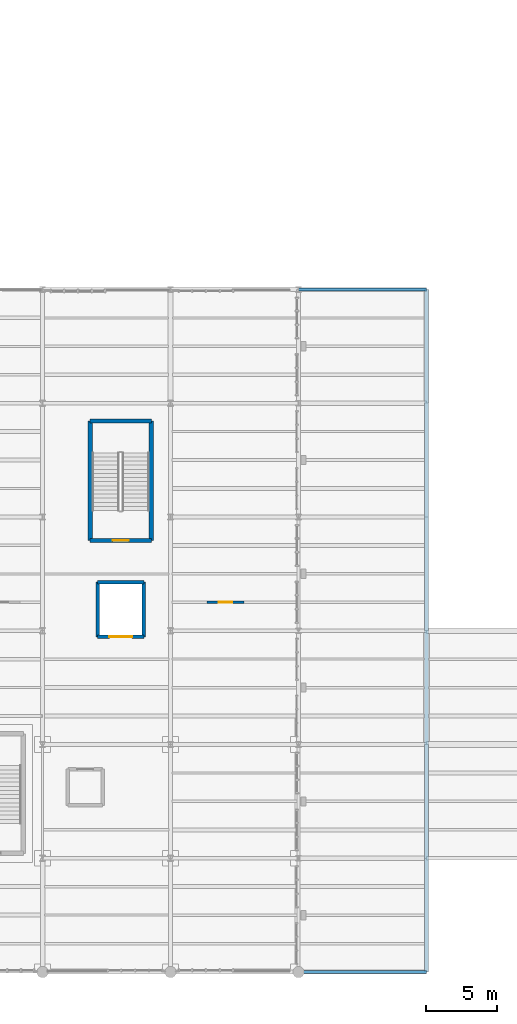
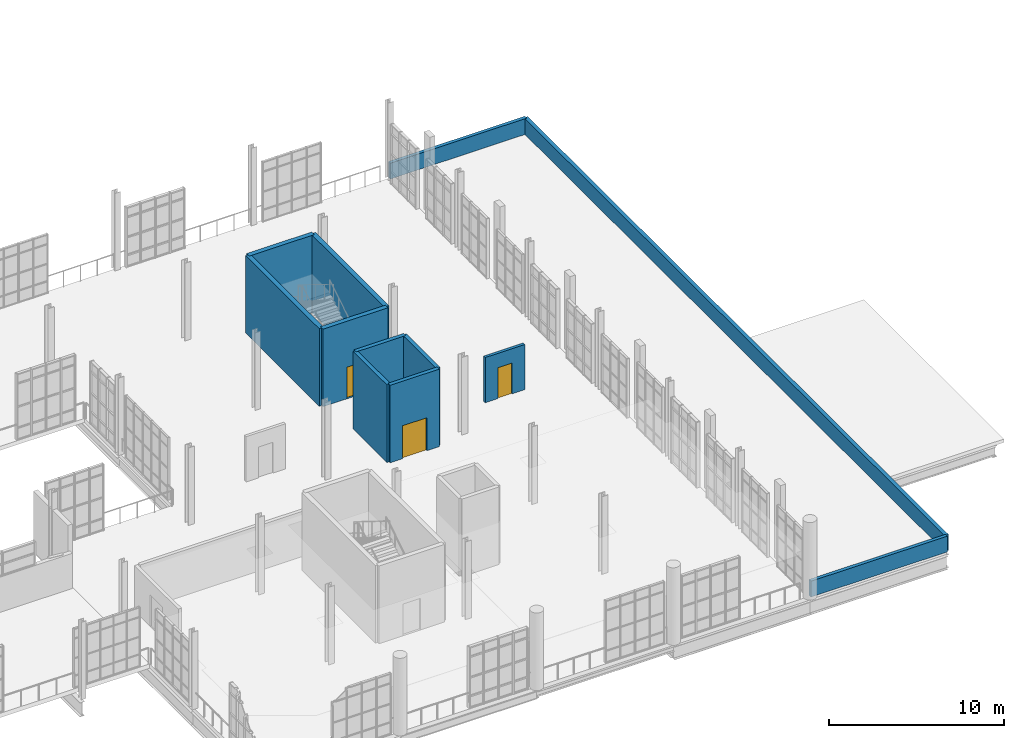
# One storey, part 127 of 142: 12 walls, 3 doors, 3 openings.
"""IFC4 building model written with IfcOpenShell, lengths in metres."""

from ifc_helpers import new_model, si_unit, direction, frame, frame_2d, origin, place, context, subcontext, project, spatial, rectangle, extrude, material, layer, layer_set, type_object, element, fill, save


model = new_model("IFC4")

# Units and contexts
model_context = context("Model", 3, precision=1e-05, world=origin(), true_north=direction((0.0, 1.0)))
body_context = subcontext(model_context, "Body", "Model", "MODEL_VIEW")
ifc_project = project(units=[si_unit("LENGTHUNIT", "METRE"), si_unit("AREAUNIT", "SQUARE_METRE"), si_unit("VOLUMEUNIT", "CUBIC_METRE"), si_unit("PLANEANGLEUNIT", "RADIAN"), si_unit("MASSUNIT", "GRAM", prefix="KILO"), si_unit("THERMODYNAMICTEMPERATUREUNIT", "KELVIN"), si_unit("POWERUNIT", "WATT")], contexts=[model_context])

# Site, building, storey
site_placement = place(None, origin())
site = spatial("IfcSite", under=ifc_project, at=site_placement, CompositionType="ELEMENT")
building_placement = place(site_placement, origin())
building = spatial("IfcBuilding", under=site, at=building_placement, Name="Zelmaris Science Centre", CompositionType="ELEMENT")
storey_placement = place(building_placement, frame((0.0, 0.0, 5.39990234375)))
storey = spatial("IfcBuildingStorey", under=building, at=storey_placement, Name="L01", CompositionType="ELEMENT", Elevation=5.39990234375)

# Wall, opening, door
ifc_material_1 = material(Name="Concrete C40/50", Category="concrete")
ifc_layer_1 = layer(ifc_material_1, 0.300048828125, Name="Concrete C40/50")
ifc_layer_set_1 = layer_set([ifc_layer_1], Name="Concrete C40/50")
wall_type_1 = type_object("IfcWallType", Name="Core Shear Wall CW-S1 300mm", PredefinedType="SOLIDWALL", material=ifc_layer_set_1)
wall_1_placement = place(storey_placement, frame((133.64990234375, 38.35009765625, 0.0), z_axis=(0.0, 0.0, 1.0), x_axis=(-1.0, 0.0, 0.0)))
wall_1 = element("IfcWall", 1, at=wall_1_placement, inside=storey, type_object=wall_type_1, Name="L01 ST-5 core shear wall near", PredefinedType="SOLIDWALL", context=body_context, shape_type="SweptSolid", body=[
    extrude(rectangle(XDim=4.2998046875, YDim=0.300048828125, at=frame_2d((2.14990234375, 0.0))), origin(), (0.0, 0.0, 1.0), 5.400146484375),
])
opening_1_placement = place(wall_1_placement, frame((1.574951171875, 0.0, 0.0)))
opening_1 = element("IfcOpeningElement", 2, at=opening_1_placement, cuts=wall_1, Name="Opening D-FD90", PredefinedType="OPENING", context=body_context, shape_type="SweptSolid", body=[
    extrude(rectangle(XDim=1.14990234375, YDim=2.199951171875, at=frame_2d((0.574951171875, 1.10009765625))), frame((0.0, 0.159912109375, 0.0), z_axis=(0.0, -1.0, 0.0), x_axis=(1.0, 0.0, 0.0)), (0.0, 0.0, 1.0), 0.320068359375),
])
ifc_material_2 = material(Name="Steel ASTM A36", Category="steel")
door_type_1 = type_object("IfcDoorType", Name="Interior Door D-FD90 1150x2200", OperationType="NOTDEFINED", PredefinedType="DOOR", material=ifc_material_2)
door_1_placement = place(opening_1_placement, origin())
door_1 = element("IfcDoor", 3, at=door_1_placement, inside=storey, type_object=door_type_1, Name="L01 ST-5 exit stair fire door", OperationType="SINGLE_SWING_LEFT", OverallHeight=2.199951171875, OverallWidth=1.14990234375, PredefinedType="DOOR", context=body_context, shape_type="SweptSolid", body=[
    extrude(rectangle(XDim=1.14990234375, YDim=2.199951171875, at=frame_2d((0.574951171875, 1.10009765625))), frame((0.0, 0.02490234375, 0.0), z_axis=(0.0, -1.0, 0.0), x_axis=(1.0, 0.0, 0.0)), (0.0, 0.0, 1.0), 0.050048828125),
])
fill(opening_1, door_1)

# Walls
wall_2_placement = place(storey_placement, frame((133.64990234375, 38.35009765625, 0.0), z_axis=(0.0, 0.0, 1.0), x_axis=(0.0, 1.0, 0.0)))
element("IfcWall", 4, at=wall_2_placement, inside=storey, type_object=wall_type_1, Name="L01 ST-5 core shear wall east", PredefinedType="SOLIDWALL", context=body_context, shape_type="SweptSolid", body=[
    extrude(rectangle(XDim=8.39990234375, YDim=0.300048828125, at=frame_2d((4.199951171875, 0.0))), origin(), (0.0, 0.0, 1.0), 5.400146484375),
])
wall_3_placement = place(storey_placement, frame((133.64990234375, 46.75, 0.0), z_axis=(0.0, 0.0, 1.0), x_axis=(-1.0, 0.0, 0.0)))
element("IfcWall", 5, at=wall_3_placement, inside=storey, type_object=wall_type_1, Name="L01 ST-5 core shear wall far", PredefinedType="SOLIDWALL", context=body_context, shape_type="SweptSolid", body=[
    extrude(rectangle(XDim=4.2998046875, YDim=0.300048828125, at=frame_2d((2.14990234375, 0.0))), origin(), (0.0, 0.0, 1.0), 5.400146484375),
])
wall_4_placement = place(storey_placement, frame((129.35009765625, 38.35009765625, 0.0), z_axis=(0.0, 0.0, 1.0), x_axis=(0.0, 1.0, 0.0)))
element("IfcWall", 6, at=wall_4_placement, inside=storey, type_object=wall_type_1, Name="L01 ST-5 core shear wall west", PredefinedType="SOLIDWALL", context=body_context, shape_type="SweptSolid", body=[
    extrude(rectangle(XDim=8.39990234375, YDim=0.300048828125, at=frame_2d((4.199951171875, 0.0))), origin(), (0.0, 0.0, 1.0), 5.400146484375),
])

# Wall, opening, door
ifc_layer_2 = layer(ifc_material_1, 0.25, Name="Concrete C40/50")
ifc_layer_set_2 = layer_set([ifc_layer_2], Name="Concrete C40/50")
wall_type_2 = type_object("IfcWallType", Name="Core Shear Wall CW-S2 250mm", PredefinedType="SOLIDWALL", material=ifc_layer_set_2)
wall_5_placement = place(storey_placement, frame((129.875, 31.574951171875, 0.0), z_axis=(0.0, 0.0, 1.0), x_axis=(1.0, 0.0, 0.0)))
wall_5 = element("IfcWall", 7, at=wall_5_placement, inside=storey, type_object=wall_type_2, Name="L01 GL-01 lift shaft wall -y", PredefinedType="SOLIDWALL", context=body_context, shape_type="SweptSolid", body=[
    extrude(rectangle(XDim=3.25, YDim=0.25, at=frame_2d((1.625, 0.0))), origin(), (0.0, 0.0, 1.0), 5.400146484375),
])
opening_2_placement = place(wall_5_placement, frame((0.824951171875, 0.0, 0.0)))
opening_2 = element("IfcOpeningElement", 8, at=opening_2_placement, cuts=wall_5, Name="Opening LD-02", PredefinedType="OPENING", context=body_context, shape_type="SweptSolid", body=[
    extrude(rectangle(XDim=1.60009765625, YDim=2.300048828125, at=frame_2d((0.800048828125, 1.14990234375))), frame((0.0, 0.135009765625, 0.0), z_axis=(0.0, -1.0, 0.0), x_axis=(1.0, 0.0, 0.0)), (0.0, 0.0, 1.0), 0.27001953125),
])
door_type_2 = type_object("IfcDoorType", Name="Interior Door LD-02 1600x2300", OperationType="SLIDING_TO_LEFT", PredefinedType="DOOR", material=ifc_material_2)
door_2_placement = place(opening_2_placement, origin())
door_2 = element("IfcDoor", 9, at=door_2_placement, inside=storey, type_object=door_type_2, Name="Landing door LD-GL-01-L01", OperationType="SLIDING_TO_LEFT", OverallHeight=2.300048828125, OverallWidth=1.60009765625, PredefinedType="DOOR", context=body_context, shape_type="SweptSolid", body=[
    extrude(rectangle(XDim=1.60009765625, YDim=2.300048828125, at=frame_2d((0.800048828125, 1.14990234375))), frame((0.0, 0.02490234375, 0.0), z_axis=(0.0, -1.0, 0.0), x_axis=(1.0, 0.0, 0.0)), (0.0, 0.0, 1.0), 0.050048828125),
])
fill(opening_2, door_2)

# Walls
wall_6_placement = place(storey_placement, frame((133.125, 31.574951171875, 0.0), z_axis=(0.0, 0.0, 1.0), x_axis=(0.0, 1.0, 0.0)))
element("IfcWall", 10, at=wall_6_placement, inside=storey, type_object=wall_type_2, Name="L01 GL-01 lift shaft wall +x", PredefinedType="SOLIDWALL", context=body_context, shape_type="SweptSolid", body=[
    extrude(rectangle(XDim=3.85009765625, YDim=0.25, at=frame_2d((1.925048828125, 0.0))), origin(), (0.0, 0.0, 1.0), 5.400146484375),
])
wall_7_placement = place(storey_placement, frame((133.125, 35.425048828125, 0.0), z_axis=(0.0, 0.0, 1.0), x_axis=(-1.0, 0.0, 0.0)))
element("IfcWall", 11, at=wall_7_placement, inside=storey, type_object=wall_type_2, Name="L01 GL-01 lift shaft wall +y", PredefinedType="SOLIDWALL", context=body_context, shape_type="SweptSolid", body=[
    extrude(rectangle(XDim=3.25, YDim=0.25, at=frame_2d((1.625, 0.0))), origin(), (0.0, 0.0, 1.0), 5.400146484375),
])
wall_8_placement = place(storey_placement, frame((129.875, 35.425048828125, 0.0), z_axis=(0.0, 0.0, 1.0), x_axis=(0.0, -1.0, 0.0)))
element("IfcWall", 12, at=wall_8_placement, inside=storey, type_object=wall_type_2, Name="L01 GL-01 lift shaft wall -x", PredefinedType="SOLIDWALL", context=body_context, shape_type="SweptSolid", body=[
    extrude(rectangle(XDim=3.85009765625, YDim=0.25, at=frame_2d((1.925048828125, 0.0))), origin(), (0.0, 0.0, 1.0), 5.400146484375),
])

# Wall, opening, door
ifc_material_3 = material(Name="Autoclaved aerated concrete blockwork", Category="masonry")
ifc_layer_3 = layer(ifc_material_3, 0.179931640625, Name="Autoclaved aerated concrete blockwork")
ifc_layer_set_3 = layer_set([ifc_layer_3], Name="Autoclaved aerated concrete blockwork")
wall_type_3 = type_object("IfcWallType", Name="Interior Wall PT-04 180mm", PredefinedType="PARTITIONING", material=ifc_layer_set_3)
wall_9_placement = place(storey_placement, frame((140.175048828125, 34.0048828125, 0.0), z_axis=(0.0, 0.0, 1.0), x_axis=(-1.0, 0.0, 0.0)))
wall_9 = element("IfcWall", 13, at=wall_9_placement, inside=storey, type_object=wall_type_3, Name="L01 L01 Accessible WC entrance partition 48", PredefinedType="PARTITIONING", context=body_context, shape_type="SweptSolid", body=[
    extrude(rectangle(XDim=2.60009765625, YDim=0.179931640625, at=frame_2d((1.300048828125, 0.0))), origin(), (0.0, 0.0, 1.0), 3.150146484375),
])
opening_3_placement = place(wall_9_placement, frame((0.824951171875, 0.0, 0.0)))
opening_3 = element("IfcOpeningElement", 14, at=opening_3_placement, cuts=wall_9, Name="Opening D-IN2", PredefinedType="OPENING", context=body_context, shape_type="SweptSolid", body=[
    extrude(rectangle(XDim=0.949951171875, YDim=2.14990234375, at=frame_2d((0.47509765625, 1.074951171875))), frame((0.0, 0.099853515625, 0.0), z_axis=(0.0, -1.0, 0.0), x_axis=(1.0, 0.0, 0.0)), (0.0, 0.0, 1.0), 0.199951171875),
])
ifc_material_4 = material(Name="Solid tropical tzalam hardwood", Category="wood")
door_type_3 = type_object("IfcDoorType", Name="Interior Door D-IN2 950x2150", OperationType="NOTDEFINED", PredefinedType="DOOR", material=ifc_material_4)
door_3_placement = place(opening_3_placement, origin())
door_3 = element("IfcDoor", 15, at=door_3_placement, inside=storey, type_object=door_type_3, Name="L01 L01 Accessible WC door", OperationType="SINGLE_SWING_LEFT", OverallHeight=2.14990234375, OverallWidth=0.949951171875, PredefinedType="DOOR", context=body_context, shape_type="SweptSolid", body=[
    extrude(rectangle(XDim=0.949951171875, YDim=2.14990234375, at=frame_2d((0.47509765625, 1.074951171875))), frame((0.0, 0.02490234375, 0.0), z_axis=(0.0, -1.0, 0.0), x_axis=(1.0, 0.0, 0.0)), (0.0, 0.0, 1.0), 0.050048828125),
])
fill(opening_3, door_3)

# Walls
ifc_material_5 = material(Name="Precast concrete C40/50", Category="concrete")
ifc_layer_4 = layer(ifc_material_5, 0.219970703125, Name="Precast concrete C40/50")
ifc_layer_set_4 = layer_set([ifc_layer_4], Name="Precast concrete C40/50")
wall_type_4 = type_object("IfcWallType", Name="Roof Parapet PW-01 220mm", PredefinedType="PARAPET", material=ifc_layer_set_4)
for number, where, z_axis, x_axis, name in (
    (16, (144.0, 8.0, 0.0), (0.0, 0.0, 1.0), (1.0, 0.0, 0.0), "L01 Precast roof parapet 4"),
    (17, (144.0, 56.0, 0.0), (0.0, 0.0, 1.0), (1.0, 0.0, 0.0), "L01 Precast roof parapet 6"),
):
    element("IfcWall", number, at=place(storey_placement, frame(where, z_axis=z_axis, x_axis=x_axis)), inside=storey, type_object=wall_type_4, Name=name, PredefinedType="PARAPET", context=body_context, shape_type="SweptSolid", body=[
        extrude(rectangle(XDim=9.0, YDim=0.219970703125, at=frame_2d((4.5, 0.0))), origin(), (0.0, 0.0, 1.0), 1.10009765625),
    ])
ifc_layer_5 = layer(ifc_material_5, 0.25, Name="Precast concrete C40/50")
ifc_layer_set_5 = layer_set([ifc_layer_5], Name="Precast concrete C40/50")
wall_type_5 = type_object("IfcWallType", Name="Roof Parapet PW-02 250mm", PredefinedType="PARAPET", material=ifc_layer_set_5)
wall_10_placement = place(storey_placement, frame((153.0, 8.0, 0.0), z_axis=(0.0, 0.0, 1.0), x_axis=(0.0, 1.0, 0.0)))
element("IfcWall", 18, at=wall_10_placement, inside=storey, type_object=wall_type_5, Name="L01 Precast roof parapet 5", PredefinedType="PARAPET", context=body_context, shape_type="SweptSolid", body=[
    extrude(rectangle(XDim=48.0, YDim=0.25, at=frame_2d((24.0, 0.0))), origin(), (0.0, 0.0, 1.0), 1.10009765625),
])

save(model, "model.ifc")
